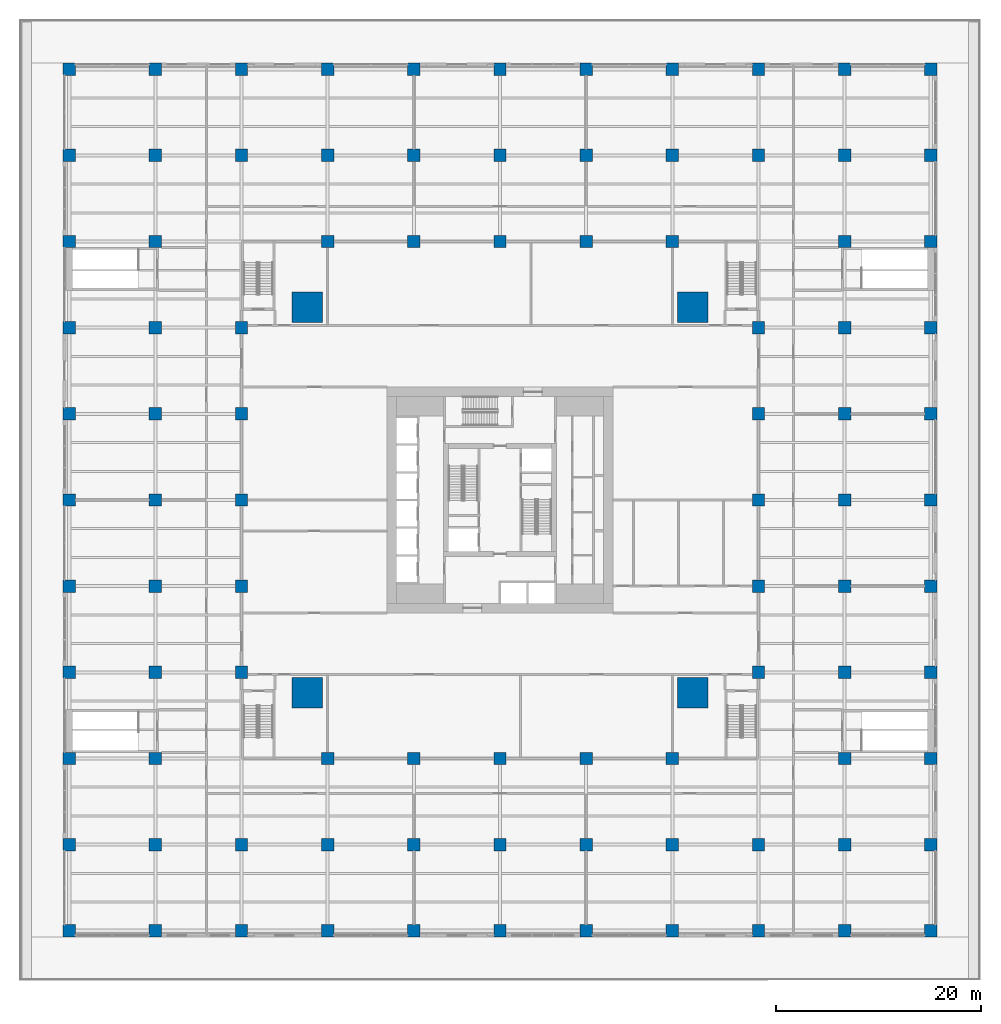
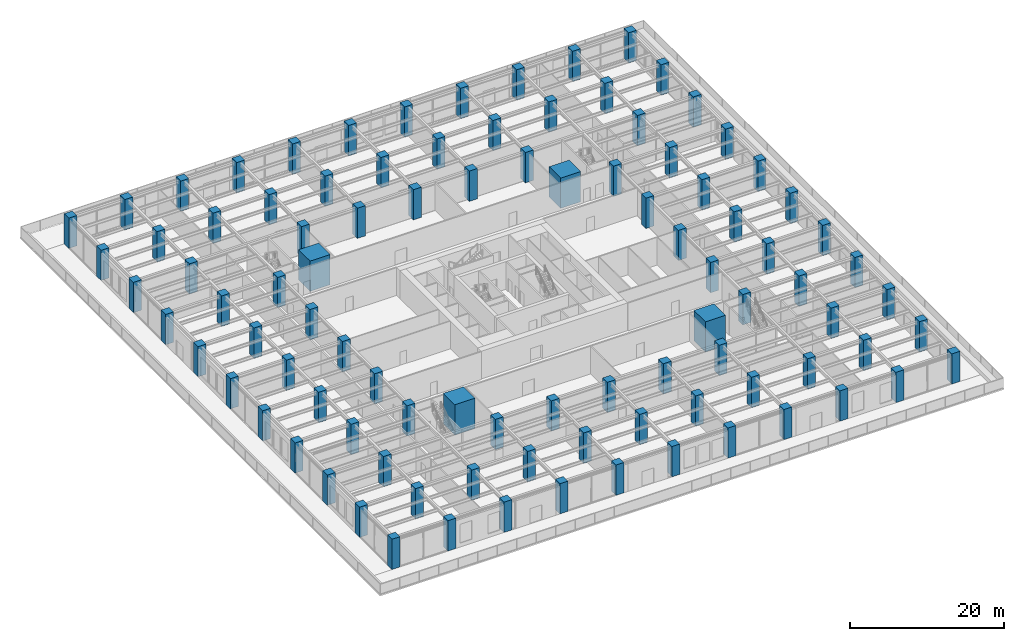
# One storey, part 1 of 53: 96 columns.
"""IFC4 building model written with IfcOpenShell, lengths in metres."""

import ifcopenshell
import ifcopenshell.guid

model = None  # the IFC model being written
_history = None  # IfcOwnerHistory: only IFC2X3 demands one
_inside = {}  # id of a spatial element -> (the spatial element, [elements in it])
_under = {}  # id of a project, library or spatial element -> (it, [spatial elements below it])
_declared = {}  # id of a project -> (the project, [libraries it declares])
_typed = {}  # id of a type object -> (the type object, [elements of that type])
_made_of = {}  # id of a material, layer set ... -> (it, [elements and type objects made of it])


def new_model(schema):
    """Start an empty IFC model of exactly this schema.

    Asked for "IFC4X3", IfcOpenShell would pick the latest addendum, in which some entities
    have other attributes; the version numbers below select the first issue.
    IFC2X3 requires an IfcOwnerHistory on every rooted entity: one is made here for all.
    """
    global model, _history
    if schema == "IFC4X3":
        model = ifcopenshell.file(schema_version=(4, 3, 0, 0))
    else:
        model = ifcopenshell.file(schema=schema)
    _inside.clear()
    _under.clear()
    _declared.clear()
    _typed.clear()
    _made_of.clear()
    _history = None
    if model.schema == "IFC2X3":
        org = make("IfcOrganization", Name="unknown")
        user = make(
            "IfcPersonAndOrganization",
            ThePerson=make("IfcPerson", FamilyName="unknown"),
            TheOrganization=org,
        )
        app = make(
            "IfcApplication",
            ApplicationDeveloper=org,
            Version="unknown",
            ApplicationFullName="unknown",
            ApplicationIdentifier="unknown",
        )
        _history = make(
            "IfcOwnerHistory",
            OwningUser=user,
            OwningApplication=app,
            ChangeAction="ADDED",
            CreationDate=0,
        )
    return model


def make(cls, **values):
    """One entity of the class cls with the attributes given. An attribute that is None is left unset."""
    return model.create_entity(
        cls, **{name: value for name, value in values.items() if value is not None}
    )


def rooted(cls, **values):
    """An entity with a GlobalId (a new one), such as an element, a storey or a relation."""
    return make(cls, GlobalId=ifcopenshell.guid.new(), OwnerHistory=_history, **values)


def si_unit(unit_type, name, prefix=None):
    """IfcSIUnit, for example si_unit("LENGTHUNIT", "METRE", prefix="MILLI")."""
    return make("IfcSIUnit", UnitType=unit_type, Prefix=prefix, Name=name)


def assignment(units):
    """IfcUnitAssignment: the units of a project."""
    return None if units is None else make("IfcUnitAssignment", Units=units)


def point(xyz):
    """IfcCartesianPoint."""
    return None if xyz is None else make("IfcCartesianPoint", Coordinates=xyz)


def direction(xyz):
    """IfcDirection."""
    return None if xyz is None else make("IfcDirection", DirectionRatios=xyz)


def frame(location, z_axis=None, x_axis=None):
    """IfcAxis2Placement3D, a coordinate frame: its origin and axes. An axis left out is left unset."""
    return make(
        "IfcAxis2Placement3D",
        Location=point(location),
        Axis=direction(z_axis),
        RefDirection=direction(x_axis),
    )


def frame_2d(location, x_axis=None):
    """IfcAxis2Placement2D, a coordinate frame in the plane: its origin and x axis."""
    return make(
        "IfcAxis2Placement2D", Location=point(location), RefDirection=direction(x_axis)
    )


def origin():
    """The frame at (0, 0, 0) with its axes left unset."""
    return frame((0.0, 0.0, 0.0))


def origin_2d():
    """The frame at (0, 0) in the plane with its x axis left unset."""
    return frame_2d((0.0, 0.0))


def place(relative_to, where):
    """IfcLocalPlacement: puts the frame where relative to a parent placement (None: the world)."""
    return make(
        "IfcLocalPlacement", PlacementRelTo=relative_to, RelativePlacement=where
    )


def context(
    kind, dimensions, precision=None, world=None, true_north=None, identifier=None
):
    """IfcGeometricRepresentationContext, for example the 3D "Model" context."""
    return make(
        "IfcGeometricRepresentationContext",
        ContextIdentifier=identifier,
        ContextType=kind,
        CoordinateSpaceDimension=dimensions,
        Precision=precision,
        WorldCoordinateSystem=world,
        TrueNorth=true_north,
    )


def subcontext(parent, identifier, kind, view, scale=None):
    """IfcGeometricRepresentationSubContext, for example "Body" below "Model"."""
    return make(
        "IfcGeometricRepresentationSubContext",
        ContextIdentifier=identifier,
        ContextType=kind,
        ParentContext=parent,
        TargetScale=scale,
        TargetView=view,
    )


def project(units=None, contexts=None):
    """IfcProject with its units and contexts."""
    return rooted(
        "IfcProject",
        Name="project",
        RepresentationContexts=contexts,
        UnitsInContext=assignment(units),
    )


def spatial(cls, under=None, at=None, **own):
    """A site, building, storey or space (cls), placed at a placement, below another one or the project."""
    s = rooted(cls, ObjectPlacement=at, **own)
    if under is not None:
        _under.setdefault(under.id(), (under, []))[1].append(s)
    return s


def profile(cls, at=None, kind="AREA", **sizes):
    """A parametric profile (cls). Its sizes go by their IFC names, for example OverallWidth=200.0."""
    return make(cls, ProfileType=kind, Position=at, **sizes)


def rectangle(**sizes):
    """IfcRectangleProfileDef."""
    return profile("IfcRectangleProfileDef", **sizes)


def extrude(swept, where, along, depth):
    """IfcExtrudedAreaSolid: the profile swept, set in the frame where, extruded along a direction by depth."""
    return make(
        "IfcExtrudedAreaSolid",
        SweptArea=swept,
        Position=where,
        ExtrudedDirection=direction(along),
        Depth=depth,
    )


def shape(context_of_items, identifier, shape_type, items):
    """IfcShapeRepresentation: the items that make up one representation, for example the "Body"."""
    return make(
        "IfcShapeRepresentation",
        ContextOfItems=context_of_items,
        RepresentationIdentifier=identifier,
        RepresentationType=shape_type,
        Items=items,
    )


def material(Name=None, Category=None):
    """IfcMaterial."""
    return make("IfcMaterial", Name=Name, Category=Category)


def material_profile(
    of_material, cross_section, Name=None, Category=None, Priority=None
):
    """IfcMaterialProfile: a cross section and its material."""
    return make(
        "IfcMaterialProfile",
        Name=Name,
        Material=of_material,
        Profile=cross_section,
        Priority=Priority,
        Category=Category,
    )


def profile_set(profiles, Name=None, composite=None):
    """IfcMaterialProfileSet."""
    return make(
        "IfcMaterialProfileSet",
        Name=Name,
        MaterialProfiles=profiles,
        CompositeProfile=composite,
    )


def made_of(thing, what):
    """Note that an element or type object is made of a material, layer set ...; save() writes the relation."""
    if what is not None:
        _made_of.setdefault(what.id(), (what, []))[1].append(thing)
    return thing


def type_object(cls, material=None, **own):
    """A type object (cls), such as IfcWallType, which elements share."""
    return made_of(rooted(cls, **own), material)


def element(
    cls,
    number,
    at=None,
    inside=None,
    cuts=None,
    type_object=None,
    material=None,
    context=None,
    identifier="Body",
    shape_type=None,
    held_by="IfcProductDefinitionShape",
    body=None,
    shapes=None,
    **own,
):
    """One element of the class cls, such as IfcWall. Its Tag is "e" and its number.

    at: its placement. inside: the storey or other place that contains it. cuts: it is an
    opening in that element (IfcRelVoidsElement). A single representation is given by context,
    identifier, shape_type and body (its items); several are given by shapes. held_by: the class
    of the entity that holds the representations. save() writes the other relations.
    """
    e = rooted(cls, Tag="e%d" % number, ObjectPlacement=at, **own)
    if body is not None:
        shapes = [shape(context, identifier, shape_type, body)]
    if shapes is not None:
        e.Representation = make(held_by, Representations=shapes)
    if inside is not None:
        _inside.setdefault(inside.id(), (inside, []))[1].append(e)
    if cuts is not None:
        rooted(
            "IfcRelVoidsElement", RelatingBuildingElement=cuts, RelatedOpeningElement=e
        )
    if type_object is not None:
        _typed.setdefault(type_object.id(), (type_object, []))[1].append(e)
    return made_of(e, material)


def aggregate(whole, parts):
    """IfcRelAggregates: a whole, such as a stair, and the parts it consists of."""
    return rooted("IfcRelAggregates", RelatingObject=whole, RelatedObjects=parts)


def save(model, path):
    """Write the relations noted so far, then the file.

    IfcRelAggregates (storeys below a building ...), IfcRelContainedInSpatialStructure (elements
    in a storey), IfcRelDefinesByType, IfcRelAssociatesMaterial and IfcRelDeclares: one each for
    every whole, place, type object, material and project.
    """
    for whole, parts in _under.values():
        aggregate(whole, parts)
    for where, things in _inside.values():
        rooted(
            "IfcRelContainedInSpatialStructure",
            RelatedElements=things,
            RelatingStructure=where,
        )
    for kind, things in _typed.values():
        rooted("IfcRelDefinesByType", RelatedObjects=things, RelatingType=kind)
    for what, things in _made_of.values():
        rooted("IfcRelAssociatesMaterial", RelatedObjects=things, RelatingMaterial=what)
    for by, libraries in _declared.values():
        rooted("IfcRelDeclares", RelatingContext=by, RelatedDefinitions=libraries)
    model.write(path)


model = new_model("IFC4")

# Units and contexts
model_context = context("Model", 3, precision=1e-05, world=origin(), true_north=direction((0.0, 1.0)))
body_context = subcontext(model_context, "Body", "Model", "MODEL_VIEW")
ifc_project = project(units=[si_unit("LENGTHUNIT", "METRE"), si_unit("AREAUNIT", "SQUARE_METRE"), si_unit("VOLUMEUNIT", "CUBIC_METRE"), si_unit("PLANEANGLEUNIT", "RADIAN"), si_unit("MASSUNIT", "GRAM", prefix="KILO")], contexts=[model_context])

# Site, building, storey
site_placement = place(None, origin())
site = spatial("IfcSite", under=ifc_project, at=site_placement, CompositionType="ELEMENT")
building_placement = place(site_placement, origin())
building = spatial("IfcBuilding", under=site, at=building_placement, Name="Khepri Terraces", CompositionType="ELEMENT")
storey_placement = place(building_placement, frame((0.0, 0.0, 7.199951171875)))
storey = spatial("IfcBuildingStorey", under=building, at=storey_placement, Name="L01", CompositionType="ELEMENT", Elevation=7.199951171875)

# Columns
ifc_material_1 = material(Name="Concrete C80/95", Category="concrete")
ifc_material_profile_1 = material_profile(ifc_material_1, rectangle(XDim=3.0, YDim=3.0, at=origin_2d()), Name="Concrete C80/95", Category="concrete")
ifc_profile_set_1 = profile_set([ifc_material_profile_1], Name="Concrete C80/95")
column_type_1 = type_object("IfcColumnType", Name="Mega column RC 3000x3000 C80/95", PredefinedType="COLUMN", material=ifc_profile_set_1)
for number, where, z_axis, x_axis, name in (
    (1, (18.800048828125, 18.800048828125, 0.0), (0.0, 0.0, 1.0), (1.0, 0.0, 0.0), "Mega column MEN L01"),
    (2, (18.800048828125, -18.800048828125, 0.0), (0.0, 0.0, 1.0), (1.0, 0.0, 0.0), "Mega column MES L01"),
    (3, (-18.800048828125, 18.800048828125, 0.0), (0.0, 0.0, 1.0), (1.0, 0.0, 0.0), "Mega column MWN L01"),
    (4, (-18.800048828125, -18.800048828125, 0.0), (0.0, 0.0, 1.0), (1.0, 0.0, 0.0), "Mega column MWS L01"),
):
    element("IfcColumn", number, at=place(storey_placement, frame(where, z_axis=z_axis, x_axis=x_axis)), inside=storey, type_object=column_type_1, Name=name, PredefinedType="COLUMN", context=body_context, shape_type="SweptSolid", body=[
        extrude(rectangle(XDim=3.0, YDim=3.0, at=origin_2d()), origin(), (0.0, 0.0, 1.0), 4.800048828125),
    ])
ifc_material_2 = material(Name="Concrete C60/75", Category="concrete")
ifc_material_profile_2 = material_profile(ifc_material_2, rectangle(XDim=1.199951171875, YDim=1.199951171875, at=origin_2d()), Name="Concrete C60/75", Category="concrete")
ifc_profile_set_2 = profile_set([ifc_material_profile_2], Name="Concrete C60/75")
column_type_2 = type_object("IfcColumnType", Name="Podium column RC 1200x1200 C60/75", PredefinedType="COLUMN", material=ifc_profile_set_2)
for number, where, z_axis, x_axis, name in (
    (5, (0.0, 33.60009765625, 0.0), (0.0, 0.0, 1.0), (1.0, 0.0, 0.0), "Podium column G+000+336 L01"),
    (6, (0.0, 42.0, 0.0), (0.0, 0.0, 1.0), (1.0, 0.0, 0.0), "Podium column G+000+420 L01"),
    (7, (0.0, -33.60009765625, 0.0), (0.0, 0.0, 1.0), (1.0, 0.0, 0.0), "Podium column G+000-336 L01"),
    (8, (0.0, -42.0, 0.0), (0.0, 0.0, 1.0), (1.0, 0.0, 0.0), "Podium column G+000-420 L01"),
    (9, (8.39990234375, 33.60009765625, 0.0), (0.0, 0.0, 1.0), (1.0, 0.0, 0.0), "Podium column G+084+336 L01"),
    (10, (8.39990234375, 42.0, 0.0), (0.0, 0.0, 1.0), (1.0, 0.0, 0.0), "Podium column G+084+420 L01"),
    (11, (8.39990234375, -33.60009765625, 0.0), (0.0, 0.0, 1.0), (1.0, 0.0, 0.0), "Podium column G+084-336 L01"),
    (12, (8.39990234375, -42.0, 0.0), (0.0, 0.0, 1.0), (1.0, 0.0, 0.0), "Podium column G+084-420 L01"),
    (13, (16.800048828125, 33.60009765625, 0.0), (0.0, 0.0, 1.0), (1.0, 0.0, 0.0), "Podium column G+168+336 L01"),
    (14, (16.800048828125, 42.0, 0.0), (0.0, 0.0, 1.0), (1.0, 0.0, 0.0), "Podium column G+168+420 L01"),
    (15, (16.800048828125, -33.60009765625, 0.0), (0.0, 0.0, 1.0), (1.0, 0.0, 0.0), "Podium column G+168-336 L01"),
    (16, (16.800048828125, -42.0, 0.0), (0.0, 0.0, 1.0), (1.0, 0.0, 0.0), "Podium column G+168-420 L01"),
    (17, (25.199951171875, 33.60009765625, 0.0), (0.0, 0.0, 1.0), (1.0, 0.0, 0.0), "Podium column G+252+336 L01"),
    (18, (25.199951171875, 42.0, 0.0), (0.0, 0.0, 1.0), (1.0, 0.0, 0.0), "Podium column G+252+420 L01"),
    (19, (25.199951171875, -33.60009765625, 0.0), (0.0, 0.0, 1.0), (1.0, 0.0, 0.0), "Podium column G+252-336 L01"),
    (20, (25.199951171875, -42.0, 0.0), (0.0, 0.0, 1.0), (1.0, 0.0, 0.0), "Podium column G+252-420 L01"),
    (21, (33.60009765625, 0.0, 0.0), (0.0, 0.0, 1.0), (1.0, 0.0, 0.0), "Podium column G+336+000 L01"),
    (22, (33.60009765625, 8.39990234375, 0.0), (0.0, 0.0, 1.0), (1.0, 0.0, 0.0), "Podium column G+336+084 L01"),
    (23, (33.60009765625, 16.800048828125, 0.0), (0.0, 0.0, 1.0), (1.0, 0.0, 0.0), "Podium column G+336+168 L01"),
    (24, (33.60009765625, 25.199951171875, 0.0), (0.0, 0.0, 1.0), (1.0, 0.0, 0.0), "Podium column G+336+252 L01"),
    (25, (33.60009765625, 33.60009765625, 0.0), (0.0, 0.0, 1.0), (1.0, 0.0, 0.0), "Podium column G+336+336 L01"),
    (26, (33.60009765625, 42.0, 0.0), (0.0, 0.0, 1.0), (1.0, 0.0, 0.0), "Podium column G+336+420 L01"),
    (27, (33.60009765625, -8.39990234375, 0.0), (0.0, 0.0, 1.0), (1.0, 0.0, 0.0), "Podium column G+336-084 L01"),
    (28, (33.60009765625, -16.800048828125, 0.0), (0.0, 0.0, 1.0), (1.0, 0.0, 0.0), "Podium column G+336-168 L01"),
    (29, (33.60009765625, -25.199951171875, 0.0), (0.0, 0.0, 1.0), (1.0, 0.0, 0.0), "Podium column G+336-252 L01"),
    (30, (33.60009765625, -33.60009765625, 0.0), (0.0, 0.0, 1.0), (1.0, 0.0, 0.0), "Podium column G+336-336 L01"),
    (31, (33.60009765625, -42.0, 0.0), (0.0, 0.0, 1.0), (1.0, 0.0, 0.0), "Podium column G+336-420 L01"),
    (32, (42.0, 0.0, 0.0), (0.0, 0.0, 1.0), (1.0, 0.0, 0.0), "Podium column G+420+000 L01"),
    (33, (42.0, 8.39990234375, 0.0), (0.0, 0.0, 1.0), (1.0, 0.0, 0.0), "Podium column G+420+084 L01"),
    (34, (42.0, 16.800048828125, 0.0), (0.0, 0.0, 1.0), (1.0, 0.0, 0.0), "Podium column G+420+168 L01"),
    (35, (42.0, 25.199951171875, 0.0), (0.0, 0.0, 1.0), (1.0, 0.0, 0.0), "Podium column G+420+252 L01"),
    (36, (42.0, 33.60009765625, 0.0), (0.0, 0.0, 1.0), (1.0, 0.0, 0.0), "Podium column G+420+336 L01"),
    (37, (42.0, 42.0, 0.0), (0.0, 0.0, 1.0), (1.0, 0.0, 0.0), "Podium column G+420+420 L01"),
    (38, (42.0, -8.39990234375, 0.0), (0.0, 0.0, 1.0), (1.0, 0.0, 0.0), "Podium column G+420-084 L01"),
    (39, (42.0, -16.800048828125, 0.0), (0.0, 0.0, 1.0), (1.0, 0.0, 0.0), "Podium column G+420-168 L01"),
    (40, (42.0, -25.199951171875, 0.0), (0.0, 0.0, 1.0), (1.0, 0.0, 0.0), "Podium column G+420-252 L01"),
    (41, (42.0, -33.60009765625, 0.0), (0.0, 0.0, 1.0), (1.0, 0.0, 0.0), "Podium column G+420-336 L01"),
    (42, (42.0, -42.0, 0.0), (0.0, 0.0, 1.0), (1.0, 0.0, 0.0), "Podium column G+420-420 L01"),
    (43, (-8.39990234375, 33.60009765625, 0.0), (0.0, 0.0, 1.0), (1.0, 0.0, 0.0), "Podium column G-084+336 L01"),
    (44, (-8.39990234375, 42.0, 0.0), (0.0, 0.0, 1.0), (1.0, 0.0, 0.0), "Podium column G-084+420 L01"),
    (45, (-8.39990234375, -33.60009765625, 0.0), (0.0, 0.0, 1.0), (1.0, 0.0, 0.0), "Podium column G-084-336 L01"),
    (46, (-8.39990234375, -42.0, 0.0), (0.0, 0.0, 1.0), (1.0, 0.0, 0.0), "Podium column G-084-420 L01"),
    (47, (-16.800048828125, 33.60009765625, 0.0), (0.0, 0.0, 1.0), (1.0, 0.0, 0.0), "Podium column G-168+336 L01"),
    (48, (-16.800048828125, 42.0, 0.0), (0.0, 0.0, 1.0), (1.0, 0.0, 0.0), "Podium column G-168+420 L01"),
    (49, (-16.800048828125, -33.60009765625, 0.0), (0.0, 0.0, 1.0), (1.0, 0.0, 0.0), "Podium column G-168-336 L01"),
    (50, (-16.800048828125, -42.0, 0.0), (0.0, 0.0, 1.0), (1.0, 0.0, 0.0), "Podium column G-168-420 L01"),
    (51, (-25.199951171875, 33.60009765625, 0.0), (0.0, 0.0, 1.0), (1.0, 0.0, 0.0), "Podium column G-252+336 L01"),
    (52, (-25.199951171875, 42.0, 0.0), (0.0, 0.0, 1.0), (1.0, 0.0, 0.0), "Podium column G-252+420 L01"),
    (53, (-25.199951171875, -33.60009765625, 0.0), (0.0, 0.0, 1.0), (1.0, 0.0, 0.0), "Podium column G-252-336 L01"),
    (54, (-25.199951171875, -42.0, 0.0), (0.0, 0.0, 1.0), (1.0, 0.0, 0.0), "Podium column G-252-420 L01"),
    (55, (-33.60009765625, 0.0, 0.0), (0.0, 0.0, 1.0), (1.0, 0.0, 0.0), "Podium column G-336+000 L01"),
    (56, (-33.60009765625, 8.39990234375, 0.0), (0.0, 0.0, 1.0), (1.0, 0.0, 0.0), "Podium column G-336+084 L01"),
    (57, (-33.60009765625, 16.800048828125, 0.0), (0.0, 0.0, 1.0), (1.0, 0.0, 0.0), "Podium column G-336+168 L01"),
    (58, (-33.60009765625, 25.199951171875, 0.0), (0.0, 0.0, 1.0), (1.0, 0.0, 0.0), "Podium column G-336+252 L01"),
    (59, (-33.60009765625, 33.60009765625, 0.0), (0.0, 0.0, 1.0), (1.0, 0.0, 0.0), "Podium column G-336+336 L01"),
    (60, (-33.60009765625, 42.0, 0.0), (0.0, 0.0, 1.0), (1.0, 0.0, 0.0), "Podium column G-336+420 L01"),
    (61, (-33.60009765625, -8.39990234375, 0.0), (0.0, 0.0, 1.0), (1.0, 0.0, 0.0), "Podium column G-336-084 L01"),
    (62, (-33.60009765625, -16.800048828125, 0.0), (0.0, 0.0, 1.0), (1.0, 0.0, 0.0), "Podium column G-336-168 L01"),
    (63, (-33.60009765625, -25.199951171875, 0.0), (0.0, 0.0, 1.0), (1.0, 0.0, 0.0), "Podium column G-336-252 L01"),
    (64, (-33.60009765625, -33.60009765625, 0.0), (0.0, 0.0, 1.0), (1.0, 0.0, 0.0), "Podium column G-336-336 L01"),
    (65, (-33.60009765625, -42.0, 0.0), (0.0, 0.0, 1.0), (1.0, 0.0, 0.0), "Podium column G-336-420 L01"),
    (66, (-42.0, 0.0, 0.0), (0.0, 0.0, 1.0), (1.0, 0.0, 0.0), "Podium column G-420+000 L01"),
    (67, (-42.0, 8.39990234375, 0.0), (0.0, 0.0, 1.0), (1.0, 0.0, 0.0), "Podium column G-420+084 L01"),
    (68, (-42.0, 16.800048828125, 0.0), (0.0, 0.0, 1.0), (1.0, 0.0, 0.0), "Podium column G-420+168 L01"),
    (69, (-42.0, 25.199951171875, 0.0), (0.0, 0.0, 1.0), (1.0, 0.0, 0.0), "Podium column G-420+252 L01"),
    (70, (-42.0, 33.60009765625, 0.0), (0.0, 0.0, 1.0), (1.0, 0.0, 0.0), "Podium column G-420+336 L01"),
    (71, (-42.0, 42.0, 0.0), (0.0, 0.0, 1.0), (1.0, 0.0, 0.0), "Podium column G-420+420 L01"),
    (72, (-42.0, -8.39990234375, 0.0), (0.0, 0.0, 1.0), (1.0, 0.0, 0.0), "Podium column G-420-084 L01"),
    (73, (-42.0, -16.800048828125, 0.0), (0.0, 0.0, 1.0), (1.0, 0.0, 0.0), "Podium column G-420-168 L01"),
    (74, (-42.0, -25.199951171875, 0.0), (0.0, 0.0, 1.0), (1.0, 0.0, 0.0), "Podium column G-420-252 L01"),
    (75, (-42.0, -33.60009765625, 0.0), (0.0, 0.0, 1.0), (1.0, 0.0, 0.0), "Podium column G-420-336 L01"),
    (76, (-42.0, -42.0, 0.0), (0.0, 0.0, 1.0), (1.0, 0.0, 0.0), "Podium column G-420-420 L01"),
):
    element("IfcColumn", number, at=place(storey_placement, frame(where, z_axis=z_axis, x_axis=x_axis)), inside=storey, type_object=column_type_2, Name=name, PredefinedType="COLUMN", context=body_context, shape_type="SweptSolid", body=[
        extrude(rectangle(XDim=1.199951171875, YDim=1.199951171875, at=origin_2d()), origin(), (0.0, 0.0, 1.0), 4.800048828125),
    ])
ifc_material_profile_3 = material_profile(ifc_material_1, rectangle(XDim=1.199951171875, YDim=1.199951171875, at=origin_2d()), Name="Concrete C80/95", Category="concrete")
ifc_profile_set_3 = profile_set([ifc_material_profile_3], Name="Concrete C80/95")
column_type_3 = type_object("IfcColumnType", Name="Tower column RC 1200x1200 C80/95", PredefinedType="COLUMN", material=ifc_profile_set_3)
for number, where, z_axis, x_axis, name in (
    (77, (25.199951171875, 0.0, 0.0), (0.0, 0.0, 1.0), (1.0, 0.0, 0.0), "Perimeter column PE+000a L01"),
    (78, (25.199951171875, 8.39990234375, 0.0), (0.0, 0.0, 1.0), (1.0, 0.0, 0.0), "Perimeter column PE+084a L01"),
    (79, (25.199951171875, 16.800048828125, 0.0), (0.0, 0.0, 1.0), (1.0, 0.0, 0.0), "Perimeter column PE+168a L01"),
    (80, (25.199951171875, -8.39990234375, 0.0), (0.0, 0.0, 1.0), (1.0, 0.0, 0.0), "Perimeter column PE-084a L01"),
    (81, (25.199951171875, -16.800048828125, 0.0), (0.0, 0.0, 1.0), (1.0, 0.0, 0.0), "Perimeter column PE-168a L01"),
    (82, (0.0, 25.199951171875, 0.0), (0.0, 0.0, 1.0), (1.0, 0.0, 0.0), "Perimeter column PN+000a L01"),
    (83, (-8.39990234375, 25.199951171875, 0.0), (0.0, 0.0, 1.0), (1.0, 0.0, 0.0), "Perimeter column PN+084a L01"),
    (84, (-16.800048828125, 25.199951171875, 0.0), (0.0, 0.0, 1.0), (1.0, 0.0, 0.0), "Perimeter column PN+168a L01"),
    (85, (8.39990234375, 25.199951171875, 0.0), (0.0, 0.0, 1.0), (1.0, 0.0, 0.0), "Perimeter column PN-084a L01"),
    (86, (16.800048828125, 25.199951171875, 0.0), (0.0, 0.0, 1.0), (1.0, 0.0, 0.0), "Perimeter column PN-168a L01"),
    (87, (0.0, -25.199951171875, 0.0), (0.0, 0.0, 1.0), (1.0, 0.0, 0.0), "Perimeter column PS+000a L01"),
    (88, (8.39990234375, -25.199951171875, 0.0), (0.0, 0.0, 1.0), (1.0, 0.0, 0.0), "Perimeter column PS+084a L01"),
    (89, (16.800048828125, -25.199951171875, 0.0), (0.0, 0.0, 1.0), (1.0, 0.0, 0.0), "Perimeter column PS+168a L01"),
    (90, (-8.39990234375, -25.199951171875, 0.0), (0.0, 0.0, 1.0), (1.0, 0.0, 0.0), "Perimeter column PS-084a L01"),
    (91, (-16.800048828125, -25.199951171875, 0.0), (0.0, 0.0, 1.0), (1.0, 0.0, 0.0), "Perimeter column PS-168a L01"),
    (92, (-25.199951171875, 0.0, 0.0), (0.0, 0.0, 1.0), (1.0, 0.0, 0.0), "Perimeter column PW+000a L01"),
    (93, (-25.199951171875, -8.39990234375, 0.0), (0.0, 0.0, 1.0), (1.0, 0.0, 0.0), "Perimeter column PW+084a L01"),
    (94, (-25.199951171875, -16.800048828125, 0.0), (0.0, 0.0, 1.0), (1.0, 0.0, 0.0), "Perimeter column PW+168a L01"),
    (95, (-25.199951171875, 8.39990234375, 0.0), (0.0, 0.0, 1.0), (1.0, 0.0, 0.0), "Perimeter column PW-084a L01"),
    (96, (-25.199951171875, 16.800048828125, 0.0), (0.0, 0.0, 1.0), (1.0, 0.0, 0.0), "Perimeter column PW-168a L01"),
):
    element("IfcColumn", number, at=place(storey_placement, frame(where, z_axis=z_axis, x_axis=x_axis)), inside=storey, type_object=column_type_3, Name=name, PredefinedType="COLUMN", context=body_context, shape_type="SweptSolid", body=[
        extrude(rectangle(XDim=1.199951171875, YDim=1.199951171875, at=origin_2d()), origin(), (0.0, 0.0, 1.0), 4.800048828125),
    ])

save(model, "model.ifc")
